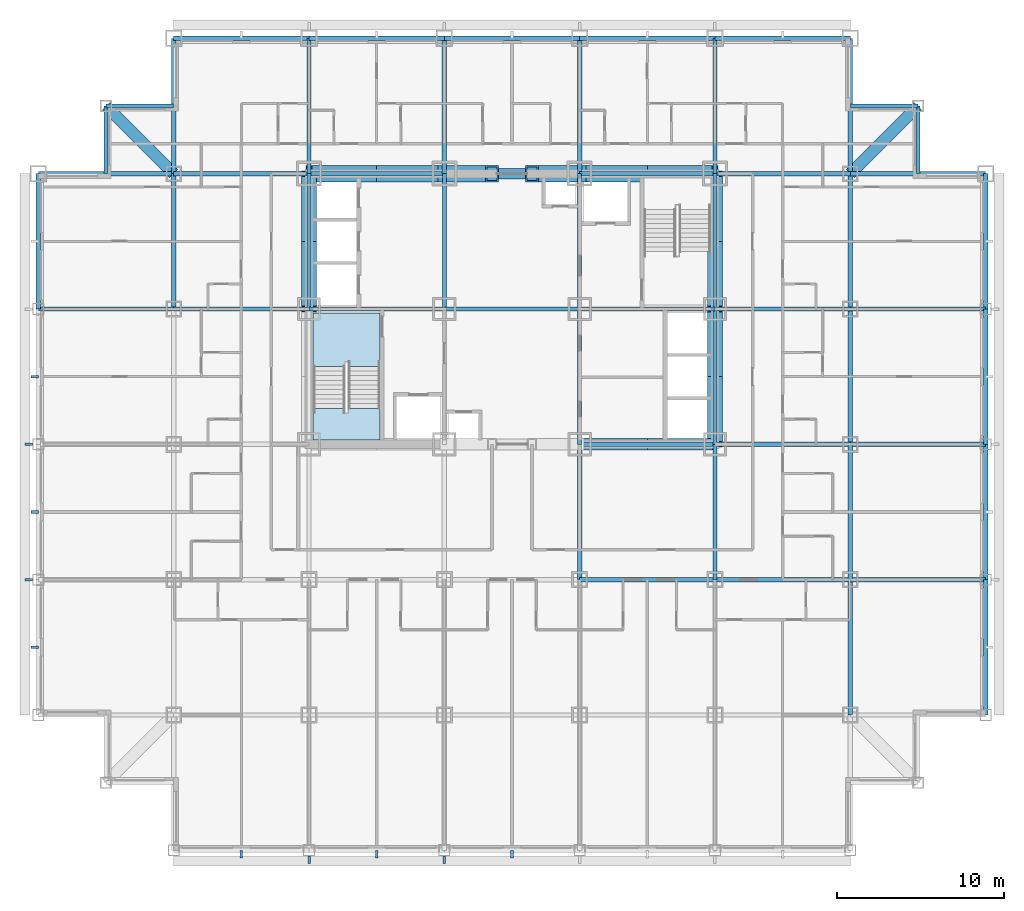
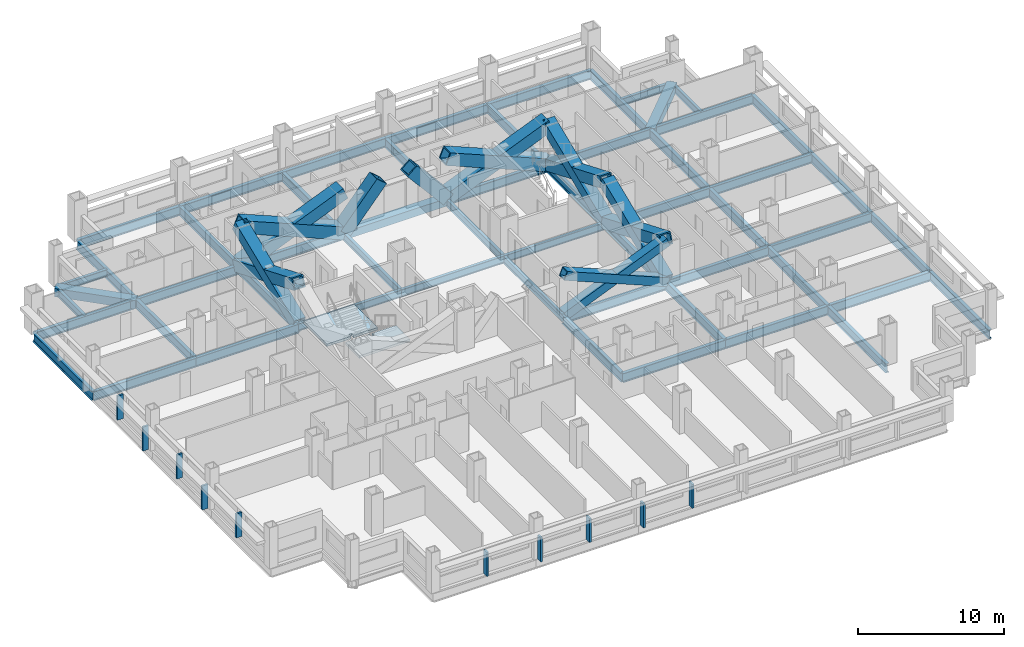
# One storey, part 2 of 12: 55 beams, 14 members, 10 plates, 2 slabs, 1 element without a shape of its own.
"""IFC4 building model written with IfcOpenShell, lengths in metres."""

from ifc_helpers import new_model, si_unit, direction, frame, origin, origin_2d, place, context, subcontext, project, spatial, polyline, rectangle, hollow_rectangle, i_section, outline, extrude, material, layer, layer_set, material_profile, profile_set, type_object, element, aggregate, save


model = new_model("IFC4")

# Units and contexts
model_context = context("Model", 3, precision=1e-05, world=origin(), true_north=direction((0.0, 1.0)))
body_context = subcontext(model_context, "Body", "Model", "MODEL_VIEW")
ifc_project = project(units=[si_unit("LENGTHUNIT", "METRE"), si_unit("AREAUNIT", "SQUARE_METRE"), si_unit("VOLUMEUNIT", "CUBIC_METRE"), si_unit("PLANEANGLEUNIT", "RADIAN"), si_unit("MASSUNIT", "GRAM", prefix="KILO")], contexts=[model_context])

# Site, building, storey
site_placement = place(None, origin())
site = spatial("IfcSite", under=ifc_project, at=site_placement, CompositionType="ELEMENT")
building_placement = place(site_placement, origin())
building = spatial("IfcBuilding", under=site, at=building_placement, Name="Kopane Lantern Tower", CompositionType="ELEMENT")
storey_placement = place(building_placement, frame((0.0, 0.0, 87.39990234375)))
storey = spatial("IfcBuildingStorey", under=building, at=storey_placement, Name="L22", CompositionType="ELEMENT", Elevation=87.39990234375)

# Members
ifc_material_1 = material(Name="Steel S355JR", Category="steel")
ifc_material_profile_1 = material_profile(ifc_material_1, hollow_rectangle(XDim=1.0, YDim=1.0, WallThickness=0.10009765625, at=origin_2d()), Name="BOX 1000x1000x100")
ifc_profile_set_1 = profile_set([ifc_material_profile_1], Name="Steel S355JR")
member_type_1 = type_object("IfcMemberType", Name="BRACE BOX 1000x1000x100", PredefinedType="BRACE", material=ifc_profile_set_1)
for number, where, z_axis, x_axis, name in (
    (1, (16.199951171875, 40.5, -0.2099609375), (0.923680358627, 0.0, 0.383163927174), (0.0, 1.0, 0.0), "Core brace L22"),
    (2, (24.300048828125, 40.5, -0.2099609375), (-0.923680358627, 0.0, 0.383163927174), (0.0, -1.0, 0.0), "Core brace L22"),
):
    element("IfcMember", number, at=place(storey_placement, frame(where, z_axis=z_axis, x_axis=x_axis)), inside=storey, type_object=member_type_1, Name=name, PredefinedType="BRACE", context=body_context, shape_type="SweptSolid", body=[
        extrude(hollow_rectangle(XDim=1.0, YDim=1.0, WallThickness=0.10009765625, at=origin_2d()), origin(), (0.0, 0.0, 1.0), 8.769287109375),
    ])
for number, where, z_axis, x_axis, name in (
    (3, (24.300048828125, 40.5, -0.2099609375), (0.646826109676, 0.0, 0.762637517987), (0.0, 1.0, 0.0), "Core brace L22"),
    (4, (32.39990234375, 40.5, -0.2099609375), (-0.646826109676, 0.0, 0.762637517987), (0.0, -1.0, 0.0), "Core brace L22"),
):
    element("IfcMember", number, at=place(storey_placement, frame(where, z_axis=z_axis, x_axis=x_axis)), inside=storey, type_object=member_type_1, Name=name, PredefinedType="BRACE", context=body_context, shape_type="SweptSolid", body=[
        extrude(hollow_rectangle(XDim=1.0, YDim=1.0, WallThickness=0.10009765625, at=origin_2d()), origin(), (0.0, 0.0, 1.0), 4.406005859375),
    ])
for number, where, z_axis, x_axis, name in (
    (5, (32.39990234375, 40.5, -0.2099609375), (0.923680358627, 0.0, 0.383163927174), (0.0, 1.0, 0.0), "Core brace L22"),
    (6, (40.5, 40.5, -0.2099609375), (-0.923680358627, 0.0, 0.383163927174), (0.0, -1.0, 0.0), "Core brace L22"),
):
    element("IfcMember", number, at=place(storey_placement, frame(where, z_axis=z_axis, x_axis=x_axis)), inside=storey, type_object=member_type_1, Name=name, PredefinedType="BRACE", context=body_context, shape_type="SweptSolid", body=[
        extrude(hollow_rectangle(XDim=1.0, YDim=1.0, WallThickness=0.10009765625, at=origin_2d()), origin(), (0.0, 0.0, 1.0), 8.769287109375),
    ])
ifc_material_2 = material(Name="Steel S355JR", Category="steel")
ifc_material_profile_2 = material_profile(ifc_material_2, hollow_rectangle(XDim=0.699951171875, YDim=0.699951171875, WallThickness=0.06005859375, at=origin_2d()), Name="BOX 700x700x60")
ifc_profile_set_2 = profile_set([ifc_material_profile_2], Name="Steel S355JR")
member_type_2 = type_object("IfcMemberType", Name="BRACE BOX 700x700x60", PredefinedType="BRACE", material=ifc_profile_set_2)
for number, where, z_axis, x_axis, name in (
    (7, (32.39990234375, 24.300048828125, -0.2099609375), (0.923680358627, 0.0, 0.383163927174), (0.0, 1.0, 0.0), "Core brace L22"),
    (8, (40.5, 24.300048828125, -0.2099609375), (-0.923680358627, 0.0, 0.383163927174), (0.0, -1.0, 0.0), "Core brace L22"),
):
    element("IfcMember", number, at=place(storey_placement, frame(where, z_axis=z_axis, x_axis=x_axis)), inside=storey, type_object=member_type_2, Name=name, PredefinedType="BRACE", context=body_context, shape_type="SweptSolid", body=[
        extrude(hollow_rectangle(XDim=0.699951171875, YDim=0.699951171875, WallThickness=0.06005859375, at=origin_2d()), origin(), (0.0, 0.0, 1.0), 8.769287109375),
    ])
ifc_material_3 = material(Name="Steel S355JR", Category="steel")
ifc_material_profile_3 = material_profile(ifc_material_3, hollow_rectangle(XDim=0.89990234375, YDim=0.89990234375, WallThickness=0.090087890625, at=origin_2d()), Name="BOX 900x900x90")
ifc_profile_set_3 = profile_set([ifc_material_profile_3], Name="Steel S355JR")
member_type_3 = type_object("IfcMemberType", Name="BRACE BOX 900x900x90", PredefinedType="BRACE", material=ifc_profile_set_3)
for number, where, z_axis, x_axis, name in (
    (9, (16.199951171875, 32.39990234375, -0.2099609375), (0.0, 0.923680358627, 0.383163927174), (-1.0, 0.0, 0.0), "Core brace L22"),
    (10, (16.199951171875, 40.5, -0.2099609375), (0.0, -0.923680358627, 0.383163927174), (1.0, 0.0, 0.0), "Core brace L22"),
):
    element("IfcMember", number, at=place(storey_placement, frame(where, z_axis=z_axis, x_axis=x_axis)), inside=storey, type_object=member_type_3, Name=name, PredefinedType="BRACE", context=body_context, shape_type="SweptSolid", body=[
        extrude(hollow_rectangle(XDim=0.89990234375, YDim=0.89990234375, WallThickness=0.090087890625, at=origin_2d()), origin(), (0.0, 0.0, 1.0), 8.769287109375),
    ])
for number, where, z_axis, x_axis, name in (
    (11, (40.5, 24.300048828125, -0.2099609375), (0.0, 0.923676271129, 0.383173780618), (-1.0, 0.0, 0.0), "Core brace L22"),
    (12, (40.5, 32.39990234375, -0.2099609375), (0.0, -0.923676271129, 0.383173780618), (1.0, 0.0, 0.0), "Core brace L22"),
):
    element("IfcMember", number, at=place(storey_placement, frame(where, z_axis=z_axis, x_axis=x_axis)), inside=storey, type_object=member_type_3, Name=name, PredefinedType="BRACE", context=body_context, shape_type="SweptSolid", body=[
        extrude(hollow_rectangle(XDim=0.89990234375, YDim=0.89990234375, WallThickness=0.090087890625, at=origin_2d()), origin(), (0.0, 0.0, 1.0), 8.76904296875),
    ])
for number, where, z_axis, x_axis, name in (
    (13, (40.5, 32.39990234375, -0.2099609375), (0.0, 0.923680358627, 0.383163927174), (-1.0, 0.0, 0.0), "Core brace L22"),
    (14, (40.5, 40.5, -0.2099609375), (0.0, -0.923680358627, 0.383163927174), (1.0, 0.0, 0.0), "Core brace L22"),
):
    element("IfcMember", number, at=place(storey_placement, frame(where, z_axis=z_axis, x_axis=x_axis)), inside=storey, type_object=member_type_3, Name=name, PredefinedType="BRACE", context=body_context, shape_type="SweptSolid", body=[
        extrude(hollow_rectangle(XDim=0.89990234375, YDim=0.89990234375, WallThickness=0.090087890625, at=origin_2d()), origin(), (0.0, 0.0, 1.0), 8.769287109375),
    ])

# Beams
ifc_material_4 = material(Name="Steel S355JR", Category="steel")
ifc_material_profile_4 = material_profile(ifc_material_4, i_section(OverallWidth=0.22900390625, OverallDepth=0.6123046875, WebThickness=0.011962890625, FlangeThickness=0.01953125, FilletRadius=0.0126953125, at=origin_2d()), Name="UB 610x229x125")
ifc_profile_set_4 = profile_set([ifc_material_profile_4], Name="Steel S355JR")
beam_type_1 = type_object("IfcBeamType", Name="CORE BEAM UB 610x229x125", PredefinedType="BEAM", material=ifc_profile_set_4)
for number, where, z_axis, x_axis, name in (
    (15, (16.199951171875, 32.39990234375, -0.51611328125), (1.0, 0.0, 0.0), (0.0, 1.0, 0.0), "Core Beam L22"),
    (16, (24.300048828125, 32.39990234375, -0.51611328125), (0.0, 1.0, 0.0), (-1.0, 0.0, 0.0), "Core Beam L22"),
):
    element("IfcBeam", number, at=place(storey_placement, frame(where, z_axis=z_axis, x_axis=x_axis)), inside=storey, type_object=beam_type_1, Name=name, PredefinedType="BEAM", context=body_context, shape_type="SweptSolid", body=[
        extrude(i_section(OverallWidth=0.22900390625, OverallDepth=0.6123046875, WebThickness=0.011962890625, FlangeThickness=0.01953125, FilletRadius=0.0126953125, at=origin_2d()), origin(), (0.0, 0.0, 1.0), 8.10009765625),
    ])
for number, where, z_axis, x_axis, name in (
    (17, (24.300048828125, 32.39990234375, -0.51611328125), (1.0, 0.0, 0.0), (0.0, 1.0, 0.0), "Core Beam L22"),
    (18, (32.39990234375, 24.300048828125, -0.51611328125), (0.0, 1.0, 0.0), (-1.0, 0.0, 0.0), "Core Beam L22"),
):
    element("IfcBeam", number, at=place(storey_placement, frame(where, z_axis=z_axis, x_axis=x_axis)), inside=storey, type_object=beam_type_1, Name=name, PredefinedType="BEAM", context=body_context, shape_type="SweptSolid", body=[
        extrude(i_section(OverallWidth=0.22900390625, OverallDepth=0.6123046875, WebThickness=0.011962890625, FlangeThickness=0.01953125, FilletRadius=0.0126953125, at=origin_2d()), origin(), (0.0, 0.0, 1.0), 8.099853515625),
    ])
for number, where, z_axis, x_axis, name in (
    (19, (32.39990234375, 32.39990234375, -0.51611328125), (0.0, 1.0, 0.0), (-1.0, 0.0, 0.0), "Core Beam L22"),
    (20, (32.39990234375, 32.39990234375, -0.51611328125), (1.0, 0.0, 0.0), (0.0, 1.0, 0.0), "Core Beam L22"),
):
    element("IfcBeam", number, at=place(storey_placement, frame(where, z_axis=z_axis, x_axis=x_axis)), inside=storey, type_object=beam_type_1, Name=name, PredefinedType="BEAM", context=body_context, shape_type="SweptSolid", body=[
        extrude(i_section(OverallWidth=0.22900390625, OverallDepth=0.6123046875, WebThickness=0.011962890625, FlangeThickness=0.01953125, FilletRadius=0.0126953125, at=origin_2d()), origin(), (0.0, 0.0, 1.0), 8.10009765625),
    ])
ifc_material_5 = material(Name="Steel S355JR", Category="steel")
ifc_material_profile_5 = material_profile(ifc_material_5, hollow_rectangle(XDim=0.699951171875, YDim=0.699951171875, WallThickness=0.06005859375, at=origin_2d()), Name="BOX 700x700x60")
ifc_profile_set_5 = profile_set([ifc_material_profile_5], Name="Steel S355JR")
beam_type_2 = type_object("IfcBeamType", Name="CORNER TIE BEAM BOX 700x700x60", PredefinedType="BEAM", material=ifc_profile_set_5)
for number, where, z_axis, x_axis, name in (
    (21, (4.050048828125, 44.550048828125, -0.559814453125), (0.707106781187, -0.707106781187, 0.0), (0.707106781187, 0.707106781187, 0.0), "Corner Tie Beam L22"),
    (22, (52.64990234375, 44.550048828125, -0.559814453125), (-0.707085467703, -0.707128094028, 0.0), (0.707128094028, -0.707085467703, 0.0), "Corner Tie Beam L22"),
):
    element("IfcBeam", number, at=place(storey_placement, frame(where, z_axis=z_axis, x_axis=x_axis)), inside=storey, type_object=beam_type_2, Name=name, PredefinedType="BEAM", context=body_context, shape_type="SweptSolid", body=[
        extrude(hollow_rectangle(XDim=0.699951171875, YDim=0.699951171875, WallThickness=0.06005859375, at=origin_2d()), origin(), (0.0, 0.0, 1.0), 5.7275390625),
    ])
ifc_material_6 = material(Name="Steel S355JR", Category="steel")
ifc_material_profile_6 = material_profile(ifc_material_6, i_section(OverallWidth=0.22900390625, OverallDepth=0.6123046875, WebThickness=0.011962890625, FlangeThickness=0.01953125, FilletRadius=0.0126953125, at=origin_2d()), Name="UB 610x229x125")
ifc_profile_set_6 = profile_set([ifc_material_profile_6], Name="Steel S355JR")
beam_type_3 = type_object("IfcBeamType", Name="EDGE BEAM UB 610x229x125", PredefinedType="BEAM", material=ifc_profile_set_6)
for number, where, z_axis, x_axis, name in (
    (23, (4.050048828125, 44.550048828125, -0.51611328125), (0.0, -1.0, 0.0), (1.0, 0.0, 0.0), "Edge Beam L22"),
    (24, (4.050048828125, 44.550048828125, -0.51611328125), (1.0, 0.0, 0.0), (0.0, 1.0, 0.0), "Edge Beam L22"),
):
    element("IfcBeam", number, at=place(storey_placement, frame(where, z_axis=z_axis, x_axis=x_axis)), inside=storey, type_object=beam_type_3, Name=name, PredefinedType="BEAM", context=body_context, shape_type="SweptSolid", body=[
        extrude(i_section(OverallWidth=0.22900390625, OverallDepth=0.6123046875, WebThickness=0.011962890625, FlangeThickness=0.01953125, FilletRadius=0.0126953125, at=origin_2d()), origin(), (0.0, 0.0, 1.0), 4.050048828125),
    ])
beam_1_placement = place(storey_placement, frame((52.64990234375, 44.550048828125, -0.51611328125), z_axis=(-1.0, 0.0, 0.0), x_axis=(0.0, -1.0, 0.0)))
element("IfcBeam", 25, at=beam_1_placement, inside=storey, type_object=beam_type_3, Name="Edge Beam L22", PredefinedType="BEAM", context=body_context, shape_type="SweptSolid", body=[
    extrude(i_section(OverallWidth=0.22900390625, OverallDepth=0.6123046875, WebThickness=0.011962890625, FlangeThickness=0.01953125, FilletRadius=0.0126953125, at=origin_2d()), origin(), (0.0, 0.0, 1.0), 4.0498046875),
])
beam_2_placement = place(storey_placement, frame((52.64990234375, 44.550048828125, -0.51611328125), z_axis=(0.0, -1.0, 0.0), x_axis=(1.0, 0.0, 0.0)))
element("IfcBeam", 26, at=beam_2_placement, inside=storey, type_object=beam_type_3, Name="Edge Beam L22", PredefinedType="BEAM", context=body_context, shape_type="SweptSolid", body=[
    extrude(i_section(OverallWidth=0.22900390625, OverallDepth=0.6123046875, WebThickness=0.011962890625, FlangeThickness=0.01953125, FilletRadius=0.0126953125, at=origin_2d()), origin(), (0.0, 0.0, 1.0), 4.050048828125),
])
ifc_material_7 = material(Name="Steel S355JR", Category="steel")
ifc_material_profile_7 = material_profile(ifc_material_7, i_section(OverallWidth=0.2666015625, OverallDepth=0.76220703125, WebThickness=0.014404296875, FlangeThickness=0.021484375, FilletRadius=0.0166015625, at=origin_2d()), Name="UB 762x267x173")
ifc_profile_set_7 = profile_set([ifc_material_profile_7], Name="Steel S355JR")
beam_type_4 = type_object("IfcBeamType", Name="GIRDER UB 762x267x173", PredefinedType="BEAM", material=ifc_profile_set_7)
for number, where, z_axis, x_axis, name in (
    (27, (0.0, 32.39990234375, -0.591064453125), (0.0, 1.0, 0.0), (-1.0, 0.0, 0.0), "Girder L22"),
    (28, (0.0, 32.39990234375, -0.591064453125), (1.0, 0.0, 0.0), (0.0, 1.0, 0.0), "Girder L22"),
    (29, (0.0, 40.5, -0.591064453125), (1.0, 0.0, 0.0), (0.0, 1.0, 0.0), "Girder L22"),
    (30, (8.10009765625, 32.39990234375, -0.591064453125), (0.0, 1.0, 0.0), (-1.0, 0.0, 0.0), "Girder L22"),
):
    element("IfcBeam", number, at=place(storey_placement, frame(where, z_axis=z_axis, x_axis=x_axis)), inside=storey, type_object=beam_type_4, Name=name, PredefinedType="BEAM", context=body_context, shape_type="SweptSolid", body=[
        extrude(i_section(OverallWidth=0.2666015625, OverallDepth=0.76220703125, WebThickness=0.014404296875, FlangeThickness=0.021484375, FilletRadius=0.0166015625, at=origin_2d()), origin(), (0.0, 0.0, 1.0), 8.10009765625),
    ])
beam_3_placement = place(storey_placement, frame((8.10009765625, 32.39990234375, -0.591064453125), z_axis=(1.0, 0.0, 0.0), x_axis=(0.0, 1.0, 0.0)))
element("IfcBeam", 31, at=beam_3_placement, inside=storey, type_object=beam_type_4, Name="Girder L22", PredefinedType="BEAM", context=body_context, shape_type="SweptSolid", body=[
    extrude(i_section(OverallWidth=0.2666015625, OverallDepth=0.76220703125, WebThickness=0.014404296875, FlangeThickness=0.021484375, FilletRadius=0.0166015625, at=origin_2d()), origin(), (0.0, 0.0, 1.0), 8.099853515625),
])
beam_4_placement = place(storey_placement, frame((8.10009765625, 40.5, -0.591064453125), z_axis=(0.0, 1.0, 0.0), x_axis=(-1.0, 0.0, 0.0)))
element("IfcBeam", 32, at=beam_4_placement, inside=storey, type_object=beam_type_4, Name="Girder L22", PredefinedType="BEAM", context=body_context, shape_type="SweptSolid", body=[
    extrude(i_section(OverallWidth=0.2666015625, OverallDepth=0.76220703125, WebThickness=0.014404296875, FlangeThickness=0.021484375, FilletRadius=0.0166015625, at=origin_2d()), origin(), (0.0, 0.0, 1.0), 8.10009765625),
])
for number, where, z_axis, x_axis, name in (
    (33, (8.10009765625, 40.5, -0.591064453125), (1.0, 0.0, 0.0), (0.0, 1.0, 0.0), "Girder L22"),
    (34, (8.10009765625, 48.60009765625, -0.591064453125), (1.0, 0.0, 0.0), (0.0, 1.0, 0.0), "Girder L22"),
):
    element("IfcBeam", number, at=place(storey_placement, frame(where, z_axis=z_axis, x_axis=x_axis)), inside=storey, type_object=beam_type_4, Name=name, PredefinedType="BEAM", context=body_context, shape_type="SweptSolid", body=[
        extrude(i_section(OverallWidth=0.2666015625, OverallDepth=0.76220703125, WebThickness=0.014404296875, FlangeThickness=0.021484375, FilletRadius=0.0166015625, at=origin_2d()), origin(), (0.0, 0.0, 1.0), 8.099853515625),
    ])
for number, where, z_axis, x_axis, name in (
    (35, (16.199951171875, 32.39990234375, -0.591064453125), (0.0, 1.0, 0.0), (-1.0, 0.0, 0.0), "Girder L22"),
    (36, (16.199951171875, 40.5, -0.591064453125), (0.0, 1.0, 0.0), (-1.0, 0.0, 0.0), "Girder L22"),
    (37, (16.199951171875, 40.5, -0.591064453125), (1.0, 0.0, 0.0), (0.0, 1.0, 0.0), "Girder L22"),
    (38, (16.199951171875, 48.60009765625, -0.591064453125), (1.0, 0.0, 0.0), (0.0, 1.0, 0.0), "Girder L22"),
    (39, (24.300048828125, 40.5, -0.591064453125), (0.0, 1.0, 0.0), (-1.0, 0.0, 0.0), "Girder L22"),
):
    element("IfcBeam", number, at=place(storey_placement, frame(where, z_axis=z_axis, x_axis=x_axis)), inside=storey, type_object=beam_type_4, Name=name, PredefinedType="BEAM", context=body_context, shape_type="SweptSolid", body=[
        extrude(i_section(OverallWidth=0.2666015625, OverallDepth=0.76220703125, WebThickness=0.014404296875, FlangeThickness=0.021484375, FilletRadius=0.0166015625, at=origin_2d()), origin(), (0.0, 0.0, 1.0), 8.10009765625),
    ])
beam_5_placement = place(storey_placement, frame((24.300048828125, 48.60009765625, -0.591064453125), z_axis=(1.0, 0.0, 0.0), x_axis=(0.0, 1.0, 0.0)))
element("IfcBeam", 40, at=beam_5_placement, inside=storey, type_object=beam_type_4, Name="Girder L22", PredefinedType="BEAM", context=body_context, shape_type="SweptSolid", body=[
    extrude(i_section(OverallWidth=0.2666015625, OverallDepth=0.76220703125, WebThickness=0.014404296875, FlangeThickness=0.021484375, FilletRadius=0.0166015625, at=origin_2d()), origin(), (0.0, 0.0, 1.0), 8.099853515625),
])
for number, where, z_axis, x_axis, name in (
    (41, (32.39990234375, 16.199951171875, -0.591064453125), (0.0, 1.0, 0.0), (-1.0, 0.0, 0.0), "Girder L22"),
    (42, (32.39990234375, 16.199951171875, -0.591064453125), (1.0, 0.0, 0.0), (0.0, 1.0, 0.0), "Girder L22"),
    (43, (32.39990234375, 24.300048828125, -0.591064453125), (1.0, 0.0, 0.0), (0.0, 1.0, 0.0), "Girder L22"),
    (44, (32.39990234375, 40.5, -0.591064453125), (0.0, 1.0, 0.0), (-1.0, 0.0, 0.0), "Girder L22"),
    (45, (32.39990234375, 40.5, -0.591064453125), (1.0, 0.0, 0.0), (0.0, 1.0, 0.0), "Girder L22"),
    (46, (32.39990234375, 48.60009765625, -0.591064453125), (1.0, 0.0, 0.0), (0.0, 1.0, 0.0), "Girder L22"),
    (47, (40.5, 16.199951171875, -0.591064453125), (0.0, 1.0, 0.0), (-1.0, 0.0, 0.0), "Girder L22"),
    (48, (40.5, 16.199951171875, -0.591064453125), (1.0, 0.0, 0.0), (0.0, 1.0, 0.0), "Girder L22"),
):
    element("IfcBeam", number, at=place(storey_placement, frame(where, z_axis=z_axis, x_axis=x_axis)), inside=storey, type_object=beam_type_4, Name=name, PredefinedType="BEAM", context=body_context, shape_type="SweptSolid", body=[
        extrude(i_section(OverallWidth=0.2666015625, OverallDepth=0.76220703125, WebThickness=0.014404296875, FlangeThickness=0.021484375, FilletRadius=0.0166015625, at=origin_2d()), origin(), (0.0, 0.0, 1.0), 8.10009765625),
    ])
beam_6_placement = place(storey_placement, frame((40.5, 24.300048828125, -0.591064453125), z_axis=(0.0, 1.0, 0.0), x_axis=(-1.0, 0.0, 0.0)))
element("IfcBeam", 49, at=beam_6_placement, inside=storey, type_object=beam_type_4, Name="Girder L22", PredefinedType="BEAM", context=body_context, shape_type="SweptSolid", body=[
    extrude(i_section(OverallWidth=0.2666015625, OverallDepth=0.76220703125, WebThickness=0.014404296875, FlangeThickness=0.021484375, FilletRadius=0.0166015625, at=origin_2d()), origin(), (0.0, 0.0, 1.0), 8.099853515625),
])
for number, where, z_axis, x_axis, name in (
    (50, (40.5, 24.300048828125, -0.591064453125), (1.0, 0.0, 0.0), (0.0, 1.0, 0.0), "Girder L22"),
    (51, (40.5, 32.39990234375, -0.591064453125), (0.0, 1.0, 0.0), (-1.0, 0.0, 0.0), "Girder L22"),
    (52, (40.5, 32.39990234375, -0.591064453125), (1.0, 0.0, 0.0), (0.0, 1.0, 0.0), "Girder L22"),
    (53, (40.5, 40.5, -0.591064453125), (0.0, 1.0, 0.0), (-1.0, 0.0, 0.0), "Girder L22"),
    (54, (40.5, 40.5, -0.591064453125), (1.0, 0.0, 0.0), (0.0, 1.0, 0.0), "Girder L22"),
    (55, (40.5, 48.60009765625, -0.591064453125), (1.0, 0.0, 0.0), (0.0, 1.0, 0.0), "Girder L22"),
):
    element("IfcBeam", number, at=place(storey_placement, frame(where, z_axis=z_axis, x_axis=x_axis)), inside=storey, type_object=beam_type_4, Name=name, PredefinedType="BEAM", context=body_context, shape_type="SweptSolid", body=[
        extrude(i_section(OverallWidth=0.2666015625, OverallDepth=0.76220703125, WebThickness=0.014404296875, FlangeThickness=0.021484375, FilletRadius=0.0166015625, at=origin_2d()), origin(), (0.0, 0.0, 1.0), 8.10009765625),
    ])
beam_7_placement = place(storey_placement, frame((48.60009765625, 8.10009765625, -0.591064453125), z_axis=(0.0, 1.0, 0.0), x_axis=(-1.0, 0.0, 0.0)))
element("IfcBeam", 56, at=beam_7_placement, inside=storey, type_object=beam_type_4, Name="Girder L22", PredefinedType="BEAM", context=body_context, shape_type="SweptSolid", body=[
    extrude(i_section(OverallWidth=0.2666015625, OverallDepth=0.76220703125, WebThickness=0.014404296875, FlangeThickness=0.021484375, FilletRadius=0.0166015625, at=origin_2d()), origin(), (0.0, 0.0, 1.0), 8.099853515625),
])
beam_8_placement = place(storey_placement, frame((48.60009765625, 16.199951171875, -0.591064453125), z_axis=(0.0, 1.0, 0.0), x_axis=(-1.0, 0.0, 0.0)))
element("IfcBeam", 57, at=beam_8_placement, inside=storey, type_object=beam_type_4, Name="Girder L22", PredefinedType="BEAM", context=body_context, shape_type="SweptSolid", body=[
    extrude(i_section(OverallWidth=0.2666015625, OverallDepth=0.76220703125, WebThickness=0.014404296875, FlangeThickness=0.021484375, FilletRadius=0.0166015625, at=origin_2d()), origin(), (0.0, 0.0, 1.0), 8.10009765625),
])
for number, where, z_axis, x_axis, name in (
    (58, (48.60009765625, 16.199951171875, -0.591064453125), (1.0, 0.0, 0.0), (0.0, 1.0, 0.0), "Girder L22"),
    (59, (48.60009765625, 24.300048828125, -0.591064453125), (0.0, 1.0, 0.0), (-1.0, 0.0, 0.0), "Girder L22"),
    (60, (48.60009765625, 24.300048828125, -0.591064453125), (1.0, 0.0, 0.0), (0.0, 1.0, 0.0), "Girder L22"),
):
    element("IfcBeam", number, at=place(storey_placement, frame(where, z_axis=z_axis, x_axis=x_axis)), inside=storey, type_object=beam_type_4, Name=name, PredefinedType="BEAM", context=body_context, shape_type="SweptSolid", body=[
        extrude(i_section(OverallWidth=0.2666015625, OverallDepth=0.76220703125, WebThickness=0.014404296875, FlangeThickness=0.021484375, FilletRadius=0.0166015625, at=origin_2d()), origin(), (0.0, 0.0, 1.0), 8.099853515625),
    ])
beam_9_placement = place(storey_placement, frame((48.60009765625, 32.39990234375, -0.591064453125), z_axis=(0.0, 1.0, 0.0), x_axis=(-1.0, 0.0, 0.0)))
element("IfcBeam", 61, at=beam_9_placement, inside=storey, type_object=beam_type_4, Name="Girder L22", PredefinedType="BEAM", context=body_context, shape_type="SweptSolid", body=[
    extrude(i_section(OverallWidth=0.2666015625, OverallDepth=0.76220703125, WebThickness=0.014404296875, FlangeThickness=0.021484375, FilletRadius=0.0166015625, at=origin_2d()), origin(), (0.0, 0.0, 1.0), 8.10009765625),
])
beam_10_placement = place(storey_placement, frame((48.60009765625, 32.39990234375, -0.591064453125), z_axis=(1.0, 0.0, 0.0), x_axis=(0.0, 1.0, 0.0)))
element("IfcBeam", 62, at=beam_10_placement, inside=storey, type_object=beam_type_4, Name="Girder L22", PredefinedType="BEAM", context=body_context, shape_type="SweptSolid", body=[
    extrude(i_section(OverallWidth=0.2666015625, OverallDepth=0.76220703125, WebThickness=0.014404296875, FlangeThickness=0.021484375, FilletRadius=0.0166015625, at=origin_2d()), origin(), (0.0, 0.0, 1.0), 8.099853515625),
])
beam_11_placement = place(storey_placement, frame((48.60009765625, 40.5, -0.591064453125), z_axis=(0.0, 1.0, 0.0), x_axis=(-1.0, 0.0, 0.0)))
element("IfcBeam", 63, at=beam_11_placement, inside=storey, type_object=beam_type_4, Name="Girder L22", PredefinedType="BEAM", context=body_context, shape_type="SweptSolid", body=[
    extrude(i_section(OverallWidth=0.2666015625, OverallDepth=0.76220703125, WebThickness=0.014404296875, FlangeThickness=0.021484375, FilletRadius=0.0166015625, at=origin_2d()), origin(), (0.0, 0.0, 1.0), 8.10009765625),
])
for number, where, z_axis, x_axis, name in (
    (64, (48.60009765625, 40.5, -0.591064453125), (1.0, 0.0, 0.0), (0.0, 1.0, 0.0), "Girder L22"),
    (65, (56.699951171875, 8.10009765625, -0.591064453125), (0.0, 1.0, 0.0), (-1.0, 0.0, 0.0), "Girder L22"),
):
    element("IfcBeam", number, at=place(storey_placement, frame(where, z_axis=z_axis, x_axis=x_axis)), inside=storey, type_object=beam_type_4, Name=name, PredefinedType="BEAM", context=body_context, shape_type="SweptSolid", body=[
        extrude(i_section(OverallWidth=0.2666015625, OverallDepth=0.76220703125, WebThickness=0.014404296875, FlangeThickness=0.021484375, FilletRadius=0.0166015625, at=origin_2d()), origin(), (0.0, 0.0, 1.0), 8.099853515625),
    ])
beam_12_placement = place(storey_placement, frame((56.699951171875, 16.199951171875, -0.591064453125), z_axis=(0.0, 1.0, 0.0), x_axis=(-1.0, 0.0, 0.0)))
element("IfcBeam", 66, at=beam_12_placement, inside=storey, type_object=beam_type_4, Name="Girder L22", PredefinedType="BEAM", context=body_context, shape_type="SweptSolid", body=[
    extrude(i_section(OverallWidth=0.2666015625, OverallDepth=0.76220703125, WebThickness=0.014404296875, FlangeThickness=0.021484375, FilletRadius=0.0166015625, at=origin_2d()), origin(), (0.0, 0.0, 1.0), 8.10009765625),
])
beam_13_placement = place(storey_placement, frame((56.699951171875, 24.300048828125, -0.591064453125), z_axis=(0.0, 1.0, 0.0), x_axis=(-1.0, 0.0, 0.0)))
element("IfcBeam", 67, at=beam_13_placement, inside=storey, type_object=beam_type_4, Name="Girder L22", PredefinedType="BEAM", context=body_context, shape_type="SweptSolid", body=[
    extrude(i_section(OverallWidth=0.2666015625, OverallDepth=0.76220703125, WebThickness=0.014404296875, FlangeThickness=0.021484375, FilletRadius=0.0166015625, at=origin_2d()), origin(), (0.0, 0.0, 1.0), 8.099853515625),
])
beam_14_placement = place(storey_placement, frame((56.699951171875, 32.39990234375, -0.591064453125), z_axis=(0.0, 1.0, 0.0), x_axis=(-1.0, 0.0, 0.0)))
element("IfcBeam", 68, at=beam_14_placement, inside=storey, type_object=beam_type_4, Name="Girder L22", PredefinedType="BEAM", context=body_context, shape_type="SweptSolid", body=[
    extrude(i_section(OverallWidth=0.2666015625, OverallDepth=0.76220703125, WebThickness=0.014404296875, FlangeThickness=0.021484375, FilletRadius=0.0166015625, at=origin_2d()), origin(), (0.0, 0.0, 1.0), 8.10009765625),
])
ifc_material_8 = material(Name="Steel S355JR", Category="steel")
ifc_material_profile_8 = material_profile(ifc_material_8, hollow_rectangle(XDim=0.64990234375, YDim=0.64990234375, WallThickness=0.070068359375, at=origin_2d()), Name="BOX 650x650x70")
ifc_profile_set_8 = profile_set([ifc_material_profile_8], Name="Steel S355JR")
beam_type_5 = type_object("IfcBeamType", Name="LINK BEAM BOX 650x650x70", PredefinedType="BEAM", material=ifc_profile_set_8)
beam_15_placement = place(storey_placement, frame((24.300048828125, 40.5, -0.534912109375), z_axis=(1.0, 0.0, 0.0), x_axis=(0.0, 1.0, 0.0)))
element("IfcBeam", 69, at=beam_15_placement, inside=storey, type_object=beam_type_5, Name="Link Beam L22", PredefinedType="BEAM", context=body_context, shape_type="SweptSolid", body=[
    extrude(hollow_rectangle(XDim=0.64990234375, YDim=0.64990234375, WallThickness=0.070068359375, at=origin_2d()), origin(), (0.0, 0.0, 1.0), 8.099853515625),
])

# Stair, slabs
ifc_material_9 = material(Name="Steel S355JR", Category="steel")
stair_type = type_object("IfcStairType", Name="EXIT STAIR 1900 HALF TURN", PredefinedType="HALF_TURN_STAIR", material=ifc_material_9)
stair_placement = place(storey_placement, origin())
stair = element("IfcStair", 70, at=stair_placement, inside=storey, type_object=stair_type, Name="Exit stair ST1 L22", PredefinedType="HALF_TURN_STAIR")
ifc_material_10 = material(Name="Concrete C40/50", Category="concrete")
ifc_layer_1 = layer(ifc_material_10, 0.199951171875)
ifc_layer_set_1 = layer_set([ifc_layer_1], Name="STAIR LANDING 200")
slab_type = type_object("IfcSlabType", Name="STAIR LANDING 200", PredefinedType="LANDING", material=ifc_layer_set_1)
slab_1_placement = place(storey_placement, frame((0.0, 0.0, -0.199951171875)))
slab_1 = element("IfcSlab", 71, at=slab_1_placement, type_object=slab_type, Name="ST1 landing 1", PredefinedType="LANDING", context=body_context, shape_type="SweptSolid", body=[
    extrude(outline(polyline([(18.35009765625, 29.25), (18.550048828125, 29.25), (18.550048828125, 28.969970703125), (20.449951171875, 28.969970703125), (20.449951171875, 32.14990234375), (16.449951171875, 32.14990234375), (16.449951171875, 28.969970703125), (18.35009765625, 28.969970703125), (18.35009765625, 29.25)])), origin(), (0.0, 0.0, 1.0), 0.199951171875),
])
slab_2_placement = place(storey_placement, frame((0.0, 0.0, 1.5)))
slab_2 = element("IfcSlab", 72, at=slab_2_placement, type_object=slab_type, Name="ST1 landing 2", PredefinedType="LANDING", context=body_context, shape_type="SweptSolid", body=[
    extrude(outline(polyline([(20.449951171875, 26.449951171875), (18.550048828125, 26.449951171875), (18.550048828125, 26.169921875), (18.35009765625, 26.169921875), (18.35009765625, 26.449951171875), (16.449951171875, 26.449951171875), (16.449951171875, 24.550048828125), (20.449951171875, 24.550048828125), (20.449951171875, 26.449951171875)])), origin(), (0.0, 0.0, 1.0), 0.2001953125),
])
aggregate(stair, [slab_1, slab_2])

# Plates
ifc_material_11 = material(Name="Terracotta rainscreen on light steel framing", Category="masonry")
ifc_layer_2 = layer(ifc_material_11, 0.14990234375)
ifc_layer_set_2 = layer_set([ifc_layer_2], Name="TERRACOTTA FIN TF1 150x450")
plate_type = type_object("IfcPlateType", Name="TERRACOTTA FIN TF1 150x450", PredefinedType="USERDEFINED", material=ifc_layer_set_2)
for number, where, z_axis, x_axis, name in (
    (73, (12.14990234375, -0.22509765625, 0.0), (0.0, 0.0, 1.0), (1.0, 0.0, 0.0), "Terracotta fin L22"),
    (74, (16.199951171875, -0.574951171875, 0.0), (0.0, 0.0, 1.0), (1.0, 0.0, 0.0), "Terracotta fin L22"),
    (75, (20.25, -0.22509765625, 0.0), (0.0, 0.0, 1.0), (1.0, 0.0, 0.0), "Terracotta fin L22"),
    (76, (24.300048828125, -0.574951171875, 0.0), (0.0, 0.0, 1.0), (1.0, 0.0, 0.0), "Terracotta fin L22"),
    (77, (28.35009765625, -0.22509765625, 0.0), (0.0, 0.0, 1.0), (1.0, 0.0, 0.0), "Terracotta fin L22"),
    (78, (-0.22509765625, 28.35009765625, 0.0), (0.0, 0.0, 1.0), (0.0, -1.0, 0.0), "Terracotta fin L22"),
    (79, (-0.574951171875, 24.300048828125, 0.0), (0.0, 0.0, 1.0), (0.0, -1.0, 0.0), "Terracotta fin L22"),
    (80, (-0.22509765625, 20.25, 0.0), (0.0, 0.0, 1.0), (0.0, -1.0, 0.0), "Terracotta fin L22"),
    (81, (-0.574951171875, 16.199951171875, 0.0), (0.0, 0.0, 1.0), (0.0, -1.0, 0.0), "Terracotta fin L22"),
    (82, (-0.22509765625, 12.14990234375, 0.0), (0.0, 0.0, 1.0), (0.0, -1.0, 0.0), "Terracotta fin L22"),
):
    element("IfcPlate", number, at=place(storey_placement, frame(where, z_axis=z_axis, x_axis=x_axis)), inside=storey, type_object=plate_type, Name=name, ObjectType="TERRACOTTA FIN", PredefinedType="USERDEFINED", context=body_context, shape_type="SweptSolid", body=[
        extrude(rectangle(XDim=0.14990234375, YDim=0.449951171875, at=origin_2d()), origin(), (0.0, 0.0, 1.0), 2.0),
    ])

save(model, "model.ifc")
